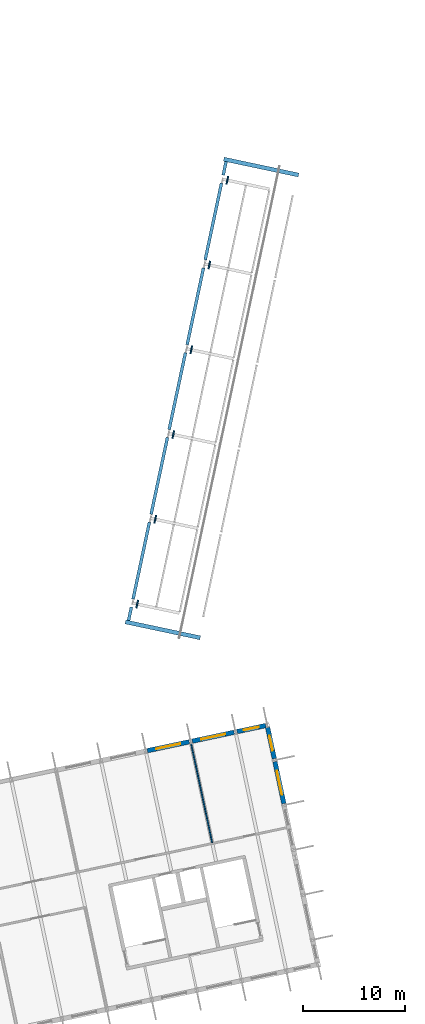
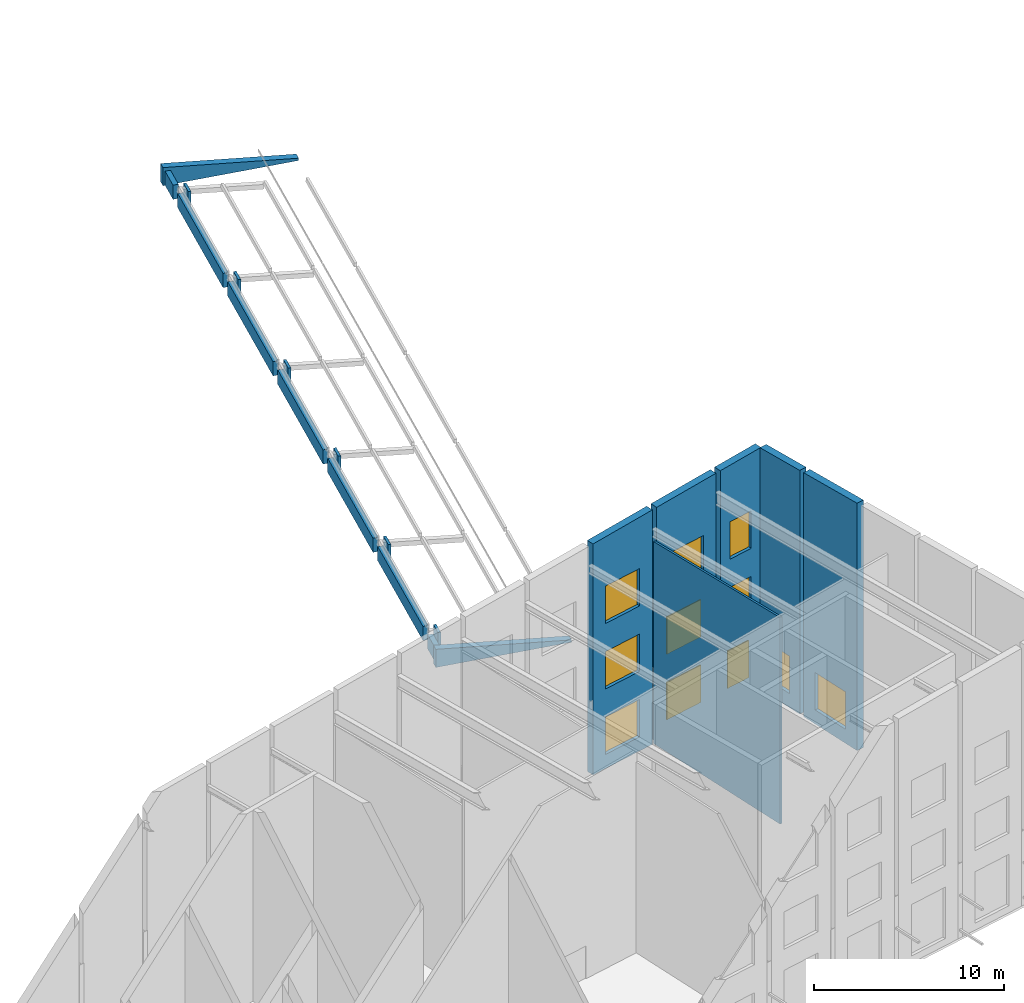
# One storey, part 49 of 69: 21 walls, 11 windows, 11 openings.
"""IFC4 building model written with IfcOpenShell, lengths in metres."""

import ifcopenshell
import ifcopenshell.guid

model = None  # the IFC model being written
_history = None  # IfcOwnerHistory: only IFC2X3 demands one
_inside = {}  # id of a spatial element -> (the spatial element, [elements in it])
_under = {}  # id of a project, library or spatial element -> (it, [spatial elements below it])
_declared = {}  # id of a project -> (the project, [libraries it declares])
_typed = {}  # id of a type object -> (the type object, [elements of that type])
_made_of = {}  # id of a material, layer set ... -> (it, [elements and type objects made of it])


def new_model(schema):
    """Start an empty IFC model of exactly this schema.

    Asked for "IFC4X3", IfcOpenShell would pick the latest addendum, in which some entities
    have other attributes; the version numbers below select the first issue.
    IFC2X3 requires an IfcOwnerHistory on every rooted entity: one is made here for all.
    """
    global model, _history
    if schema == "IFC4X3":
        model = ifcopenshell.file(schema_version=(4, 3, 0, 0))
    else:
        model = ifcopenshell.file(schema=schema)
    _inside.clear()
    _under.clear()
    _declared.clear()
    _typed.clear()
    _made_of.clear()
    _history = None
    if model.schema == "IFC2X3":
        org = make("IfcOrganization", Name="unknown")
        user = make(
            "IfcPersonAndOrganization",
            ThePerson=make("IfcPerson", FamilyName="unknown"),
            TheOrganization=org,
        )
        app = make(
            "IfcApplication",
            ApplicationDeveloper=org,
            Version="unknown",
            ApplicationFullName="unknown",
            ApplicationIdentifier="unknown",
        )
        _history = make(
            "IfcOwnerHistory",
            OwningUser=user,
            OwningApplication=app,
            ChangeAction="ADDED",
            CreationDate=0,
        )
    return model


def make(cls, **values):
    """One entity of the class cls with the attributes given. An attribute that is None is left unset."""
    return model.create_entity(
        cls, **{name: value for name, value in values.items() if value is not None}
    )


def rooted(cls, **values):
    """An entity with a GlobalId (a new one), such as an element, a storey or a relation."""
    return make(cls, GlobalId=ifcopenshell.guid.new(), OwnerHistory=_history, **values)


def si_unit(unit_type, name, prefix=None):
    """IfcSIUnit, for example si_unit("LENGTHUNIT", "METRE", prefix="MILLI")."""
    return make("IfcSIUnit", UnitType=unit_type, Prefix=prefix, Name=name)


def assignment(units):
    """IfcUnitAssignment: the units of a project."""
    return None if units is None else make("IfcUnitAssignment", Units=units)


def point(xyz):
    """IfcCartesianPoint."""
    return None if xyz is None else make("IfcCartesianPoint", Coordinates=xyz)


def direction(xyz):
    """IfcDirection."""
    return None if xyz is None else make("IfcDirection", DirectionRatios=xyz)


def frame(location, z_axis=None, x_axis=None):
    """IfcAxis2Placement3D, a coordinate frame: its origin and axes. An axis left out is left unset."""
    return make(
        "IfcAxis2Placement3D",
        Location=point(location),
        Axis=direction(z_axis),
        RefDirection=direction(x_axis),
    )


def frame_2d(location, x_axis=None):
    """IfcAxis2Placement2D, a coordinate frame in the plane: its origin and x axis."""
    return make(
        "IfcAxis2Placement2D", Location=point(location), RefDirection=direction(x_axis)
    )


def origin():
    """The frame at (0, 0, 0) with its axes left unset."""
    return frame((0.0, 0.0, 0.0))


def place(relative_to, where):
    """IfcLocalPlacement: puts the frame where relative to a parent placement (None: the world)."""
    return make(
        "IfcLocalPlacement", PlacementRelTo=relative_to, RelativePlacement=where
    )


def context(
    kind, dimensions, precision=None, world=None, true_north=None, identifier=None
):
    """IfcGeometricRepresentationContext, for example the 3D "Model" context."""
    return make(
        "IfcGeometricRepresentationContext",
        ContextIdentifier=identifier,
        ContextType=kind,
        CoordinateSpaceDimension=dimensions,
        Precision=precision,
        WorldCoordinateSystem=world,
        TrueNorth=true_north,
    )


def subcontext(parent, identifier, kind, view, scale=None):
    """IfcGeometricRepresentationSubContext, for example "Body" below "Model"."""
    return make(
        "IfcGeometricRepresentationSubContext",
        ContextIdentifier=identifier,
        ContextType=kind,
        ParentContext=parent,
        TargetScale=scale,
        TargetView=view,
    )


def project(units=None, contexts=None):
    """IfcProject with its units and contexts."""
    return rooted(
        "IfcProject",
        Name="project",
        RepresentationContexts=contexts,
        UnitsInContext=assignment(units),
    )


def spatial(cls, under=None, at=None, **own):
    """A site, building, storey or space (cls), placed at a placement, below another one or the project."""
    s = rooted(cls, ObjectPlacement=at, **own)
    if under is not None:
        _under.setdefault(under.id(), (under, []))[1].append(s)
    return s


def polyline(points):
    """IfcPolyline through the points."""
    return make("IfcPolyline", Points=[point(p) for p in points])


def profile(cls, at=None, kind="AREA", **sizes):
    """A parametric profile (cls). Its sizes go by their IFC names, for example OverallWidth=200.0."""
    return make(cls, ProfileType=kind, Position=at, **sizes)


def rectangle(**sizes):
    """IfcRectangleProfileDef."""
    return profile("IfcRectangleProfileDef", **sizes)


def outline(outer, holes=None, kind="AREA"):
    """IfcArbitraryClosedProfileDef: a profile drawn as a closed curve; with holes, ...WithVoids."""
    if holes is None:
        return make("IfcArbitraryClosedProfileDef", ProfileType=kind, OuterCurve=outer)
    return make(
        "IfcArbitraryProfileDefWithVoids",
        ProfileType=kind,
        OuterCurve=outer,
        InnerCurves=holes,
    )


def extrude(swept, where, along, depth):
    """IfcExtrudedAreaSolid: the profile swept, set in the frame where, extruded along a direction by depth."""
    return make(
        "IfcExtrudedAreaSolid",
        SweptArea=swept,
        Position=where,
        ExtrudedDirection=direction(along),
        Depth=depth,
    )


def shape(context_of_items, identifier, shape_type, items):
    """IfcShapeRepresentation: the items that make up one representation, for example the "Body"."""
    return make(
        "IfcShapeRepresentation",
        ContextOfItems=context_of_items,
        RepresentationIdentifier=identifier,
        RepresentationType=shape_type,
        Items=items,
    )


def material(Name=None, Category=None):
    """IfcMaterial."""
    return make("IfcMaterial", Name=Name, Category=Category)


def layer(
    of_material, thickness, ventilated=None, Name=None, Category=None, Priority=None
):
    """IfcMaterialLayer: one layer of a wall or slab, of a material (None: an air gap)."""
    return make(
        "IfcMaterialLayer",
        Material=of_material,
        LayerThickness=thickness,
        IsVentilated=ventilated,
        Name=Name,
        Category=Category,
        Priority=Priority,
    )


def layer_set(layers, Name=None):
    """IfcMaterialLayerSet."""
    return make("IfcMaterialLayerSet", MaterialLayers=layers, LayerSetName=Name)


def made_of(thing, what):
    """Note that an element or type object is made of a material, layer set ...; save() writes the relation."""
    if what is not None:
        _made_of.setdefault(what.id(), (what, []))[1].append(thing)
    return thing


def type_object(cls, material=None, **own):
    """A type object (cls), such as IfcWallType, which elements share."""
    return made_of(rooted(cls, **own), material)


def element(
    cls,
    number,
    at=None,
    inside=None,
    cuts=None,
    type_object=None,
    material=None,
    context=None,
    identifier="Body",
    shape_type=None,
    held_by="IfcProductDefinitionShape",
    body=None,
    shapes=None,
    **own,
):
    """One element of the class cls, such as IfcWall. Its Tag is "e" and its number.

    at: its placement. inside: the storey or other place that contains it. cuts: it is an
    opening in that element (IfcRelVoidsElement). A single representation is given by context,
    identifier, shape_type and body (its items); several are given by shapes. held_by: the class
    of the entity that holds the representations. save() writes the other relations.
    """
    e = rooted(cls, Tag="e%d" % number, ObjectPlacement=at, **own)
    if body is not None:
        shapes = [shape(context, identifier, shape_type, body)]
    if shapes is not None:
        e.Representation = make(held_by, Representations=shapes)
    if inside is not None:
        _inside.setdefault(inside.id(), (inside, []))[1].append(e)
    if cuts is not None:
        rooted(
            "IfcRelVoidsElement", RelatingBuildingElement=cuts, RelatedOpeningElement=e
        )
    if type_object is not None:
        _typed.setdefault(type_object.id(), (type_object, []))[1].append(e)
    return made_of(e, material)


def fill(opening, filler):
    """IfcRelFillsElement: the door or window that sits in an opening."""
    return rooted(
        "IfcRelFillsElement",
        RelatingOpeningElement=opening,
        RelatedBuildingElement=filler,
    )


def aggregate(whole, parts):
    """IfcRelAggregates: a whole, such as a stair, and the parts it consists of."""
    return rooted("IfcRelAggregates", RelatingObject=whole, RelatedObjects=parts)


def save(model, path):
    """Write the relations noted so far, then the file.

    IfcRelAggregates (storeys below a building ...), IfcRelContainedInSpatialStructure (elements
    in a storey), IfcRelDefinesByType, IfcRelAssociatesMaterial and IfcRelDeclares: one each for
    every whole, place, type object, material and project.
    """
    for whole, parts in _under.values():
        aggregate(whole, parts)
    for where, things in _inside.values():
        rooted(
            "IfcRelContainedInSpatialStructure",
            RelatedElements=things,
            RelatingStructure=where,
        )
    for kind, things in _typed.values():
        rooted("IfcRelDefinesByType", RelatedObjects=things, RelatingType=kind)
    for what, things in _made_of.values():
        rooted("IfcRelAssociatesMaterial", RelatedObjects=things, RelatingMaterial=what)
    for by, libraries in _declared.values():
        rooted("IfcRelDeclares", RelatingContext=by, RelatedDefinitions=libraries)
    model.write(path)


model = new_model("IFC4")

# Units and contexts
model_context = context("Model", 3, precision=1e-05, world=origin(), true_north=direction((0.0, 1.0)))
body_context = subcontext(model_context, "Body", "Model", "MODEL_VIEW")
ifc_project = project(units=[si_unit("LENGTHUNIT", "METRE"), si_unit("AREAUNIT", "SQUARE_METRE"), si_unit("VOLUMEUNIT", "CUBIC_METRE"), si_unit("PLANEANGLEUNIT", "RADIAN"), si_unit("MASSUNIT", "GRAM", prefix="KILO")], contexts=[model_context])

# Site, building, storey
site_placement = place(None, origin())
site = spatial("IfcSite", under=ifc_project, at=site_placement, CompositionType="ELEMENT")
building_placement = place(site_placement, origin())
building = spatial("IfcBuilding", under=site, at=building_placement, Name="Okhra Congress Centre", CompositionType="ELEMENT")
storey_placement = place(building_placement, frame((0.0, 0.0, 16.800048828125)))
storey = spatial("IfcBuildingStorey", under=building, at=storey_placement, Name="L03", CompositionType="ELEMENT", Elevation=16.800048828125)

# Walls
ifc_material_1 = material(Name="Insulated metal sandwich panel (mineral wool core)")
ifc_layer_1 = layer(ifc_material_1, 0.14990234375)
ifc_layer_set_1 = layer_set([ifc_layer_1], Name="Insulated infill panel 150")
wall_type_1 = type_object("IfcWallType", Name="Insulated infill panel 150", PredefinedType="SOLIDWALL", material=ifc_layer_set_1)
wall_1_placement = place(storey_placement, frame((200.355712890625, 95.178955078125, 0.0), z_axis=(0.0, 0.0, 1.0), x_axis=(0.207840504985, 0.978162729042, 0.0)))
element("IfcWall", 1, at=wall_1_placement, inside=storey, type_object=wall_type_1, Name="Hall partition infill 1", PredefinedType="SOLIDWALL", context=body_context, shape_type="SweptSolid", body=[
    extrude(rectangle(XDim=0.800048828125, YDim=0.14990234375, at=frame_2d((0.39990234375, 0.0))), origin(), (0.0, 0.0, 1.0), 0.91064453125),
])
wall_2_placement = place(storey_placement, frame((202.122802734375, 103.4931640625, 0.0), z_axis=(0.0, 0.0, 1.0), x_axis=(0.207778475573, 0.978175907027, 0.0)))
element("IfcWall", 2, at=wall_2_placement, inside=storey, type_object=wall_type_1, Name="Hall partition infill 2", PredefinedType="SOLIDWALL", context=body_context, shape_type="SweptSolid", body=[
    extrude(rectangle(XDim=0.80029296875, YDim=0.14990234375, at=frame_2d((0.400146484375, 0.0))), origin(), (0.0, 0.0, 1.0), 0.91064453125),
])
for number, where, z_axis, x_axis, name in (
    (3, (203.89013671875, 111.8076171875, 0.0), (0.0, 0.0, 1.0), (0.207840504985, 0.978162729042, 0.0), "Hall partition infill 3"),
    (4, (205.657470703125, 120.121826171875, 0.0), (0.0, 0.0, 1.0), (0.207840504985, 0.978162729042, 0.0), "Hall partition infill 4"),
    (5, (207.424560546875, 128.43603515625, 0.0), (0.0, 0.0, 1.0), (0.207840504985, 0.978162729042, 0.0), "Hall partition infill 5"),
    (6, (209.19189453125, 136.750244140625, 0.0), (0.0, 0.0, 1.0), (0.207840504985, 0.978162729042, 0.0), "Hall partition infill 6"),
):
    element("IfcWall", number, at=place(storey_placement, frame(where, z_axis=z_axis, x_axis=x_axis)), inside=storey, type_object=wall_type_1, Name=name, PredefinedType="SOLIDWALL", context=body_context, shape_type="SweptSolid", body=[
        extrude(rectangle(XDim=0.800048828125, YDim=0.14990234375, at=frame_2d((0.39990234375, 0.0))), origin(), (0.0, 0.0, 1.0), 0.91064453125),
    ])

# Wall, openings, windows
ifc_material_2 = material(Name="Insulated metal panel on steel stud (mineral wool, vapour barrier)", Category="steel")
ifc_layer_2 = layer(ifc_material_2, 0.449951171875)
ifc_layer_set_2 = layer_set([ifc_layer_2], Name="Insulated wall 450")
wall_type_2 = type_object("IfcWallType", Name="Insulated wall 450", PredefinedType="SOLIDWALL", material=ifc_layer_set_2)
wall_3_placement = place(storey_placement, frame((201.4228515625, 81.19091796875, 0.0), z_axis=(0.0, 0.0, 1.0), x_axis=(0.978155748334, 0.207873355681, 0.0)))
wall_3 = element("IfcWall", 7, at=wall_3_placement, inside=storey, type_object=wall_type_2, Name="External wall N34 L03", PredefinedType="SOLIDWALL", context=body_context, shape_type="SweptSolid", body=[
    extrude(outline(polyline([(0.0, 0.0), (4.199951171875, 0.0), (4.199951171875, 15.040283203125), (0.0, 14.815673828125), (0.0, 0.0)])), frame((0.0, 0.22509765625, 0.0), z_axis=(0.0, -1.0, 0.0), x_axis=(1.0, 0.0, 0.0)), (0.0, 0.0, 1.0), 0.449951171875),
])
opening_1_placement = place(wall_3_placement, frame((0.89990234375, 0.0, 0.89990234375)))
opening_1 = element("IfcOpeningElement", 8, at=opening_1_placement, cuts=wall_3, Name="Opening WN22", PredefinedType="OPENING", context=body_context, shape_type="SweptSolid", body=[
    extrude(rectangle(XDim=2.39990234375, YDim=2.39990234375, at=frame_2d((1.199951171875, 1.199951171875))), frame((0.0, 0.23486328125, 0.0), z_axis=(0.0, -1.0, 0.0), x_axis=(1.0, 0.0, 0.0)), (0.0, 0.0, 1.0), 0.469970703125),
])
opening_2_placement = place(wall_3_placement, frame((0.89990234375, 0.0, 5.10009765625)))
opening_2 = element("IfcOpeningElement", 9, at=opening_2_placement, cuts=wall_3, Name="Opening WN22", PredefinedType="OPENING", context=body_context, shape_type="SweptSolid", body=[
    extrude(rectangle(XDim=2.39990234375, YDim=2.39990234375, at=frame_2d((1.199951171875, 1.199951171875))), frame((0.0, 0.23486328125, 0.0), z_axis=(0.0, -1.0, 0.0), x_axis=(1.0, 0.0, 0.0)), (0.0, 0.0, 1.0), 0.469970703125),
])
opening_3_placement = place(wall_3_placement, frame((0.89990234375, 0.0, 9.300048828125)))
opening_3 = element("IfcOpeningElement", 10, at=opening_3_placement, cuts=wall_3, Name="Opening WN22", PredefinedType="OPENING", context=body_context, shape_type="SweptSolid", body=[
    extrude(rectangle(XDim=2.39990234375, YDim=2.39990234375, at=frame_2d((1.199951171875, 1.199951171875))), frame((0.0, 0.23486328125, 0.0), z_axis=(0.0, -1.0, 0.0), x_axis=(1.0, 0.0, 0.0)), (0.0, 0.0, 1.0), 0.469970703125),
])
ifc_material_3 = material(Name="Thermally broken aluminium frame, triple glazing", Category="aluminium")
window_type_1 = type_object("IfcWindowType", Name="Fixed window 2400x2400", PartitioningType="SINGLE_PANEL", PredefinedType="WINDOW", material=ifc_material_3)
window_1_placement = place(opening_1_placement, origin())
window_1 = element("IfcWindow", 11, at=window_1_placement, inside=storey, type_object=window_type_1, Name="BX.WIN.L03.113", OverallHeight=2.39990234375, OverallWidth=2.39990234375, PartitioningType="SINGLE_PANEL", PredefinedType="WINDOW", context=body_context, shape_type="SweptSolid", body=[
    extrude(rectangle(XDim=2.39990234375, YDim=2.39990234375, at=frame_2d((1.199951171875, 1.199951171875))), frame((0.0, 0.030029296875, 0.0), z_axis=(0.0, -1.0, 0.0), x_axis=(1.0, 0.0, 0.0)), (0.0, 0.0, 1.0), 0.06005859375),
])
fill(opening_1, window_1)
window_2_placement = place(opening_2_placement, origin())
window_2 = element("IfcWindow", 12, at=window_2_placement, inside=storey, type_object=window_type_1, Name="BX.WIN.L03.114", OverallHeight=2.39990234375, OverallWidth=2.39990234375, PartitioningType="SINGLE_PANEL", PredefinedType="WINDOW", context=body_context, shape_type="SweptSolid", body=[
    extrude(rectangle(XDim=2.39990234375, YDim=2.39990234375, at=frame_2d((1.199951171875, 1.199951171875))), frame((0.0, 0.030029296875, 0.0), z_axis=(0.0, -1.0, 0.0), x_axis=(1.0, 0.0, 0.0)), (0.0, 0.0, 1.0), 0.06005859375),
])
fill(opening_2, window_2)
window_3_placement = place(opening_3_placement, origin())
window_3 = element("IfcWindow", 13, at=window_3_placement, inside=storey, type_object=window_type_1, Name="BX.WIN.L03.115", OverallHeight=2.39990234375, OverallWidth=2.39990234375, PartitioningType="SINGLE_PANEL", PredefinedType="WINDOW", context=body_context, shape_type="SweptSolid", body=[
    extrude(rectangle(XDim=2.39990234375, YDim=2.39990234375, at=frame_2d((1.199951171875, 1.199951171875))), frame((0.0, 0.030029296875, 0.0), z_axis=(0.0, -1.0, 0.0), x_axis=(1.0, 0.0, 0.0)), (0.0, 0.0, 1.0), 0.06005859375),
])
fill(opening_3, window_3)

wall_4_placement = place(storey_placement, frame((205.824462890625, 82.12646484375, 0.0), z_axis=(0.0, 0.0, 1.0), x_axis=(0.978143927149, 0.207928972925, 0.0)))
wall_4 = element("IfcWall", 14, at=wall_4_placement, inside=storey, type_object=wall_type_2, Name="External wall N35 L03", PredefinedType="SOLIDWALL", context=body_context, shape_type="SweptSolid", body=[
    extrude(outline(polyline([(0.0, 0.0), (4.199951171875, 0.0), (4.199951171875, 15.281005859375), (0.0, 15.056396484375), (0.0, 0.0)])), frame((0.0, 0.22509765625, 0.0), z_axis=(0.0, -1.0, 0.0), x_axis=(1.0, 0.0, 0.0)), (0.0, 0.0, 1.0), 0.449951171875),
])
opening_4_placement = place(wall_4_placement, frame((0.89990234375, 0.0, 0.89990234375)))
opening_4 = element("IfcOpeningElement", 15, at=opening_4_placement, cuts=wall_4, Name="Opening WN22", PredefinedType="OPENING", context=body_context, shape_type="SweptSolid", body=[
    extrude(rectangle(XDim=2.39990234375, YDim=2.39990234375, at=frame_2d((1.199951171875, 1.199951171875))), frame((0.0, 0.23486328125, 0.0), z_axis=(0.0, -1.0, 0.0), x_axis=(1.0, 0.0, 0.0)), (0.0, 0.0, 1.0), 0.469970703125),
])
opening_5_placement = place(wall_4_placement, frame((0.89990234375, 0.0, 5.10009765625)))
opening_5 = element("IfcOpeningElement", 16, at=opening_5_placement, cuts=wall_4, Name="Opening WN22", PredefinedType="OPENING", context=body_context, shape_type="SweptSolid", body=[
    extrude(rectangle(XDim=2.39990234375, YDim=2.39990234375, at=frame_2d((1.199951171875, 1.199951171875))), frame((0.0, 0.23486328125, 0.0), z_axis=(0.0, -1.0, 0.0), x_axis=(1.0, 0.0, 0.0)), (0.0, 0.0, 1.0), 0.469970703125),
])
opening_6_placement = place(wall_4_placement, frame((0.89990234375, 0.0, 9.300048828125)))
opening_6 = element("IfcOpeningElement", 17, at=opening_6_placement, cuts=wall_4, Name="Opening WN22", PredefinedType="OPENING", context=body_context, shape_type="SweptSolid", body=[
    extrude(rectangle(XDim=2.39990234375, YDim=2.39990234375, at=frame_2d((1.199951171875, 1.199951171875))), frame((0.0, 0.23486328125, 0.0), z_axis=(0.0, -1.0, 0.0), x_axis=(1.0, 0.0, 0.0)), (0.0, 0.0, 1.0), 0.469970703125),
])
window_4_placement = place(opening_4_placement, origin())
window_4 = element("IfcWindow", 18, at=window_4_placement, inside=storey, type_object=window_type_1, Name="BX.WIN.L03.116", OverallHeight=2.39990234375, OverallWidth=2.39990234375, PartitioningType="SINGLE_PANEL", PredefinedType="WINDOW", context=body_context, shape_type="SweptSolid", body=[
    extrude(rectangle(XDim=2.39990234375, YDim=2.39990234375, at=frame_2d((1.199951171875, 1.199951171875))), frame((0.0, 0.030029296875, 0.0), z_axis=(0.0, -1.0, 0.0), x_axis=(1.0, 0.0, 0.0)), (0.0, 0.0, 1.0), 0.06005859375),
])
fill(opening_4, window_4)
window_5_placement = place(opening_5_placement, origin())
window_5 = element("IfcWindow", 19, at=window_5_placement, inside=storey, type_object=window_type_1, Name="BX.WIN.L03.117", OverallHeight=2.39990234375, OverallWidth=2.39990234375, PartitioningType="SINGLE_PANEL", PredefinedType="WINDOW", context=body_context, shape_type="SweptSolid", body=[
    extrude(rectangle(XDim=2.39990234375, YDim=2.39990234375, at=frame_2d((1.199951171875, 1.199951171875))), frame((0.0, 0.030029296875, 0.0), z_axis=(0.0, -1.0, 0.0), x_axis=(1.0, 0.0, 0.0)), (0.0, 0.0, 1.0), 0.06005859375),
])
fill(opening_5, window_5)
window_6_placement = place(opening_6_placement, origin())
window_6 = element("IfcWindow", 20, at=window_6_placement, inside=storey, type_object=window_type_1, Name="BX.WIN.L03.118", OverallHeight=2.39990234375, OverallWidth=2.39990234375, PartitioningType="SINGLE_PANEL", PredefinedType="WINDOW", context=body_context, shape_type="SweptSolid", body=[
    extrude(rectangle(XDim=2.39990234375, YDim=2.39990234375, at=frame_2d((1.199951171875, 1.199951171875))), frame((0.0, 0.030029296875, 0.0), z_axis=(0.0, -1.0, 0.0), x_axis=(1.0, 0.0, 0.0)), (0.0, 0.0, 1.0), 0.06005859375),
])
fill(opening_6, window_6)

wall_5_placement = place(storey_placement, frame((210.22607421875, 83.06201171875, 0.0), z_axis=(0.0, 0.0, 1.0), x_axis=(0.978137912316, 0.207957266018, 0.0)))
wall_5 = element("IfcWall", 21, at=wall_5_placement, inside=storey, type_object=wall_type_2, Name="External wall N36 L03", PredefinedType="SOLIDWALL", context=body_context, shape_type="SweptSolid", body=[
    extrude(outline(polyline([(0.0, 0.0), (2.875, 0.0), (2.875, 15.450927734375), (0.0, 15.297119140625), (0.0, 0.0)])), frame((0.0, 0.22509765625, 0.0), z_axis=(0.0, -1.0, 0.0), x_axis=(1.0, 0.0, 0.0)), (0.0, 0.0, 1.0), 0.449951171875),
])
opening_7_placement = place(wall_5_placement, frame((0.6875, 0.0, 0.89990234375)))
opening_7 = element("IfcOpeningElement", 22, at=opening_7_placement, cuts=wall_5, Name="Opening WN20", PredefinedType="OPENING", context=body_context, shape_type="SweptSolid", body=[
    extrude(rectangle(XDim=1.5, YDim=2.39990234375, at=frame_2d((0.75, 1.199951171875))), frame((0.0, 0.23486328125, 0.0), z_axis=(0.0, -1.0, 0.0), x_axis=(1.0, 0.0, 0.0)), (0.0, 0.0, 1.0), 0.469970703125),
])
opening_8_placement = place(wall_5_placement, frame((0.6875, 0.0, 5.10009765625)))
opening_8 = element("IfcOpeningElement", 23, at=opening_8_placement, cuts=wall_5, Name="Opening WN20", PredefinedType="OPENING", context=body_context, shape_type="SweptSolid", body=[
    extrude(rectangle(XDim=1.5, YDim=2.39990234375, at=frame_2d((0.75, 1.199951171875))), frame((0.0, 0.23486328125, 0.0), z_axis=(0.0, -1.0, 0.0), x_axis=(1.0, 0.0, 0.0)), (0.0, 0.0, 1.0), 0.469970703125),
])
opening_9_placement = place(wall_5_placement, frame((0.6875, 0.0, 9.300048828125)))
opening_9 = element("IfcOpeningElement", 24, at=opening_9_placement, cuts=wall_5, Name="Opening WN20", PredefinedType="OPENING", context=body_context, shape_type="SweptSolid", body=[
    extrude(rectangle(XDim=1.5, YDim=2.39990234375, at=frame_2d((0.75, 1.199951171875))), frame((0.0, 0.23486328125, 0.0), z_axis=(0.0, -1.0, 0.0), x_axis=(1.0, 0.0, 0.0)), (0.0, 0.0, 1.0), 0.469970703125),
])
window_type_2 = type_object("IfcWindowType", Name="Fixed window 1500x2400", PartitioningType="SINGLE_PANEL", PredefinedType="WINDOW", material=ifc_material_3)
window_7_placement = place(opening_7_placement, origin())
window_7 = element("IfcWindow", 25, at=window_7_placement, inside=storey, type_object=window_type_2, Name="BX.WIN.L03.119", OverallHeight=2.39990234375, OverallWidth=1.5, PartitioningType="SINGLE_PANEL", PredefinedType="WINDOW", context=body_context, shape_type="SweptSolid", body=[
    extrude(rectangle(XDim=1.5, YDim=2.39990234375, at=frame_2d((0.75, 1.199951171875))), frame((0.0, 0.030029296875, 0.0), z_axis=(0.0, -1.0, 0.0), x_axis=(1.0, 0.0, 0.0)), (0.0, 0.0, 1.0), 0.06005859375),
])
fill(opening_7, window_7)
window_8_placement = place(opening_8_placement, origin())
window_8 = element("IfcWindow", 26, at=window_8_placement, inside=storey, type_object=window_type_2, Name="BX.WIN.L03.120", OverallHeight=2.39990234375, OverallWidth=1.5, PartitioningType="SINGLE_PANEL", PredefinedType="WINDOW", context=body_context, shape_type="SweptSolid", body=[
    extrude(rectangle(XDim=1.5, YDim=2.39990234375, at=frame_2d((0.75, 1.199951171875))), frame((0.0, 0.030029296875, 0.0), z_axis=(0.0, -1.0, 0.0), x_axis=(1.0, 0.0, 0.0)), (0.0, 0.0, 1.0), 0.06005859375),
])
fill(opening_8, window_8)
window_9_placement = place(opening_9_placement, origin())
window_9 = element("IfcWindow", 27, at=window_9_placement, inside=storey, type_object=window_type_2, Name="BX.WIN.L03.121", OverallHeight=2.39990234375, OverallWidth=1.5, PartitioningType="SINGLE_PANEL", PredefinedType="WINDOW", context=body_context, shape_type="SweptSolid", body=[
    extrude(rectangle(XDim=1.5, YDim=2.39990234375, at=frame_2d((0.75, 1.199951171875))), frame((0.0, 0.030029296875, 0.0), z_axis=(0.0, -1.0, 0.0), x_axis=(1.0, 0.0, 0.0)), (0.0, 0.0, 1.0), 0.06005859375),
])
fill(opening_9, window_9)

# Wall, opening, window
wall_6_placement = place(storey_placement, frame((214.818115234375, 76.007568359375, 0.0), z_axis=(0.0, 0.0, 1.0), x_axis=(-0.207917150959, 0.978146440129, 0.0)))
wall_6 = element("IfcWall", 28, at=wall_6_placement, inside=storey, type_object=wall_type_2, Name="External wall E5 L03", PredefinedType="SOLIDWALL", context=body_context, shape_type="SweptSolid", body=[
    extrude(outline(polyline([(0.0, 0.0), (4.2001953125, 0.0), (4.199951171875, 15.650634765625), (0.0, 15.87060546875), (0.0, 0.0)])), frame((0.0, 0.22509765625, 0.0), z_axis=(0.0, -1.0, 0.0), x_axis=(1.0, 0.0, 0.0)), (0.0, 0.0, 1.0), 0.449951171875),
])
opening_10_placement = place(wall_6_placement, frame((0.89990234375, 0.0, 0.89990234375)))
opening_10 = element("IfcOpeningElement", 29, at=opening_10_placement, cuts=wall_6, Name="Opening WN22", PredefinedType="OPENING", context=body_context, shape_type="SweptSolid", body=[
    extrude(rectangle(XDim=2.39990234375, YDim=2.39990234375, at=frame_2d((1.199951171875, 1.199951171875))), frame((0.0, 0.23486328125, 0.0), z_axis=(0.0, -1.0, 0.0), x_axis=(1.0, 0.0, 0.0)), (0.0, 0.0, 1.0), 0.469970703125),
])
window_10_placement = place(opening_10_placement, origin())
window_10 = element("IfcWindow", 30, at=window_10_placement, inside=storey, type_object=window_type_1, Name="BX.WIN.L03.136", OverallHeight=2.39990234375, OverallWidth=2.39990234375, PartitioningType="SINGLE_PANEL", PredefinedType="WINDOW", context=body_context, shape_type="SweptSolid", body=[
    extrude(rectangle(XDim=2.39990234375, YDim=2.39990234375, at=frame_2d((1.199951171875, 1.199951171875))), frame((0.0, 0.030029296875, 0.0), z_axis=(0.0, -1.0, 0.0), x_axis=(1.0, 0.0, 0.0)), (0.0, 0.0, 1.0), 0.06005859375),
])
fill(opening_10, window_10)

wall_7_placement = place(storey_placement, frame((213.882568359375, 80.409423828125, 0.0), z_axis=(0.0, 0.0, 1.0), x_axis=(-0.207933268122, 0.978143014087, 0.0)))
wall_7 = element("IfcWall", 31, at=wall_7_placement, inside=storey, type_object=wall_type_2, Name="External wall E6 L03", PredefinedType="SOLIDWALL", context=body_context, shape_type="SweptSolid", body=[
    extrude(outline(polyline([(0.0, 0.0), (3.135009765625, 0.0), (3.135009765625, 15.470458984375), (0.0, 15.634765625), (0.0, 0.0)])), frame((0.0, 0.22509765625, 0.0), z_axis=(0.0, -1.0, 0.0), x_axis=(1.0, 0.0, 0.0)), (0.0, 0.0, 1.0), 0.449951171875),
])
opening_11_placement = place(wall_7_placement, frame((0.8173828125, 0.0, 0.89990234375)))
opening_11 = element("IfcOpeningElement", 32, at=opening_11_placement, cuts=wall_7, Name="Opening WN20", PredefinedType="OPENING", context=body_context, shape_type="SweptSolid", body=[
    extrude(rectangle(XDim=1.5, YDim=2.39990234375, at=frame_2d((0.75, 1.199951171875))), frame((0.0, 0.23486328125, 0.0), z_axis=(0.0, -1.0, 0.0), x_axis=(1.0, 0.0, 0.0)), (0.0, 0.0, 1.0), 0.469970703125),
])
window_11_placement = place(opening_11_placement, origin())
window_11 = element("IfcWindow", 33, at=window_11_placement, inside=storey, type_object=window_type_2, Name="BX.WIN.L03.137", OverallHeight=2.39990234375, OverallWidth=1.5, PartitioningType="SINGLE_PANEL", PredefinedType="WINDOW", context=body_context, shape_type="SweptSolid", body=[
    extrude(rectangle(XDim=1.5, YDim=2.39990234375, at=frame_2d((0.75, 1.199951171875))), frame((0.0, 0.030029296875, 0.0), z_axis=(0.0, -1.0, 0.0), x_axis=(1.0, 0.0, 0.0)), (0.0, 0.0, 1.0), 0.06005859375),
])
fill(opening_11, window_11)

# Walls
ifc_layer_3 = layer(ifc_material_1, 0.39990234375)
ifc_layer_set_3 = layer_set([ifc_layer_3], Name="Insulated wall panel 400")
wall_type_3 = type_object("IfcWallType", Name="Insulated wall panel 400", PredefinedType="SOLIDWALL", material=ifc_layer_set_3)
for number, where, z_axis, x_axis, name in (
    (34, (199.2802734375, 93.822998046875, 0.0), (0.0, 0.0, 1.0), (0.978147511705, -0.207912109665, 0.0), "Ballroom south wall L03"),
    (35, (208.92724609375, 139.208984375, 0.0), (0.0, 0.0, 1.0), (0.978147511705, -0.207912109665, 0.0), "Ballroom north-west wall L03"),
):
    element("IfcWall", number, at=place(storey_placement, frame(where, z_axis=z_axis, x_axis=x_axis)), inside=storey, type_object=wall_type_3, Name=name, PredefinedType="SOLIDWALL", context=body_context, shape_type="SweptSolid", body=[
        extrude(outline(polyline([(0.0, 0.0), (7.49755859375, 0.0), (7.497802734375, 0.14990234375), (0.0, 1.165771484375), (0.0, 0.0)])), frame((0.0, 0.199951171875, 0.0), z_axis=(0.0, -1.0, 0.0), x_axis=(1.0, 0.0, 0.0)), (0.0, 0.0, 1.0), 0.39990234375),
    ])
ifc_material_4 = material(Name="Gypsum board on steel studs", Category="steel")
ifc_layer_4 = layer(ifc_material_4, 0.125)
ifc_layer_set_4 = layer_set([ifc_layer_4], Name="Partition 125")
wall_type_4 = type_object("IfcWallType", Name="Partition 125", PredefinedType="PARTITIONING", material=ifc_layer_set_4)
wall_8_placement = place(storey_placement, frame((205.724365234375, 81.875244140625, 0.0), z_axis=(0.0, 0.0, 1.0), x_axis=(0.207927890391, -0.978144157268, 0.0)))
element("IfcWall", 36, at=wall_8_placement, inside=storey, type_object=wall_type_4, Name="Partition N L03", PredefinedType="PARTITIONING", context=body_context, shape_type="SweptSolid", body=[
    extrude(outline(polyline([(0.0, 0.0), (9.92529296875, 0.0), (9.925048828125, 13.255615234375), (0.0, 12.960205078125), (0.0, 0.0)])), frame((0.0, 0.0625, 0.0), z_axis=(0.0, -1.0, 0.0), x_axis=(1.0, 0.0, 0.0)), (0.0, 0.0, 1.0), 0.125),
])
ifc_material_5 = material(Name="Concrete C30/37", Category="concrete")
ifc_layer_5 = layer(ifc_material_5, 0.300048828125)
ifc_layer_set_5 = layer_set([ifc_layer_5], Name="RC partition wall 300 C30/37")
wall_type_5 = type_object("IfcWallType", Name="RC partition wall 300 C30/37", PredefinedType="SOLIDWALL", material=ifc_layer_set_5)
wall_9_placement = place(storey_placement, frame((199.5859375, 93.96240234375, 0.0), z_axis=(0.0, 0.0, 1.0), x_axis=(0.207787380965, 0.978174015353, 0.0)))
element("IfcWall", 37, at=wall_9_placement, inside=storey, type_object=wall_type_5, Name="Hall and foyer partition wall", PredefinedType="SOLIDWALL", context=body_context, shape_type="SweptSolid", body=[
    extrude(rectangle(XDim=1.35009765625, YDim=0.300048828125, at=frame_2d((0.675048828125, 0.0))), origin(), (0.0, 0.0, 1.0), 0.91064453125),
])
for number, where, z_axis, x_axis, name in (
    (38, (200.032958984375, 96.0654296875, 0.0), (0.0, 0.0, 1.0), (0.207900468663, 0.978149986009, 0.0), "Hall and foyer partition wall"),
    (39, (201.800048828125, 104.379638671875, 0.0), (0.0, 0.0, 1.0), (0.207930804564, 0.978143537786, 0.0), "Hall and foyer partition wall"),
    (40, (203.5673828125, 112.694091796875, 0.0), (0.0, 0.0, 1.0), (0.207900468663, 0.978149986009, 0.0), "Hall and foyer partition wall"),
    (41, (205.334716796875, 121.00830078125, 0.0), (0.0, 0.0, 1.0), (0.207900468663, 0.978149986009, 0.0), "Hall and foyer partition wall"),
    (42, (207.101806640625, 129.322509765625, 0.0), (0.0, 0.0, 1.0), (0.207930804564, 0.978143537786, 0.0), "Hall and foyer partition wall"),
):
    element("IfcWall", number, at=place(storey_placement, frame(where, z_axis=z_axis, x_axis=x_axis)), inside=storey, type_object=wall_type_5, Name=name, PredefinedType="SOLIDWALL", context=body_context, shape_type="SweptSolid", body=[
        extrude(rectangle(XDim=7.699951171875, YDim=0.300048828125, at=frame_2d((3.85009765625, 0.0))), origin(), (0.0, 0.0, 1.0), 0.91064453125),
    ])
wall_10_placement = place(storey_placement, frame((208.869140625, 137.63671875, 0.0), z_axis=(0.0, 0.0, 1.0), x_axis=(0.207960405185, 0.978137244908, 0.0)))
element("IfcWall", 43, at=wall_10_placement, inside=storey, type_object=wall_type_5, Name="Hall and foyer partition wall", PredefinedType="SOLIDWALL", context=body_context, shape_type="SweptSolid", body=[
    extrude(rectangle(XDim=1.35009765625, YDim=0.300048828125, at=frame_2d((0.675048828125, 0.0))), origin(), (0.0, 0.0, 1.0), 0.91064453125),
])

save(model, "model.ifc")
